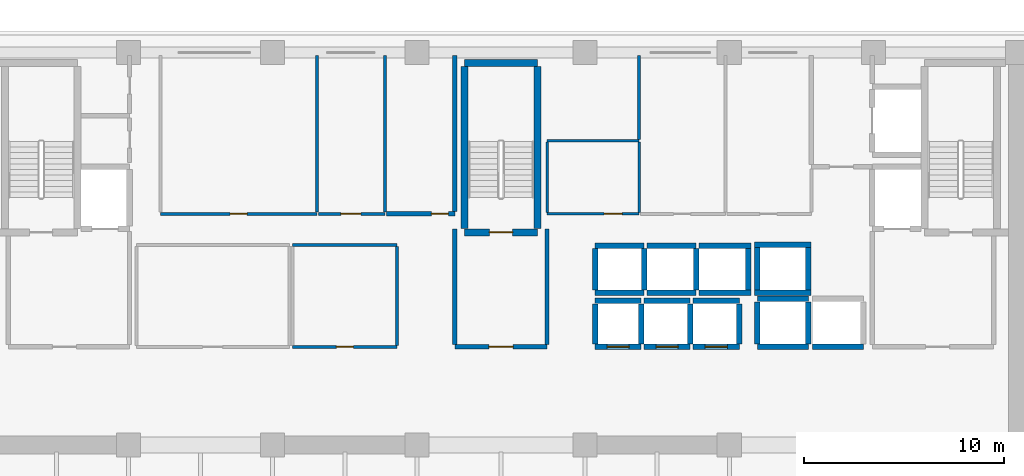
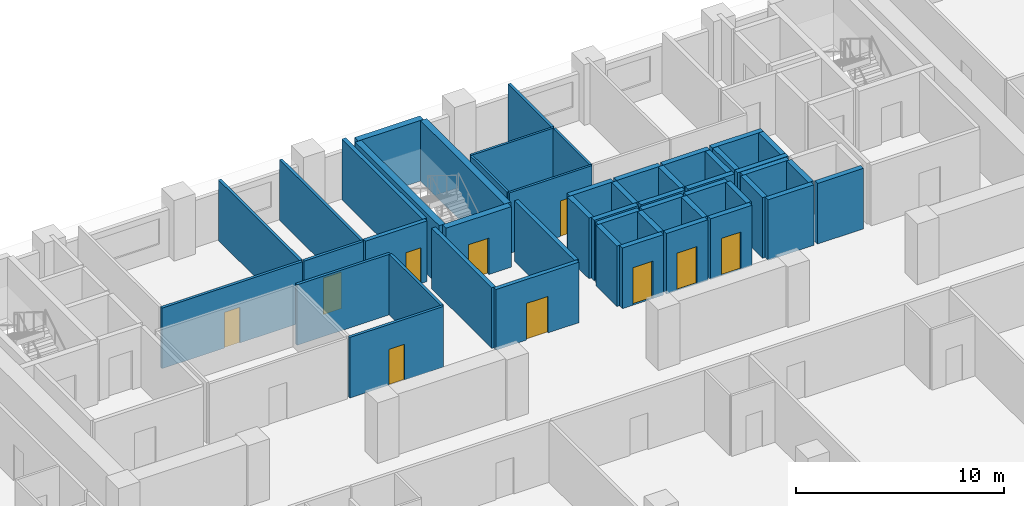
# One storey, part 6 of 14: 50 walls, 10 doors, 10 openings.
"""IFC4 building model written with IfcOpenShell, lengths in metres."""

from ifc_helpers import new_model, si_unit, direction, frame, frame_2d, origin, place, context, subcontext, project, spatial, rectangle, extrude, material, layer, layer_set, type_object, element, fill, save


model = new_model("IFC4")

# Units and contexts
model_context = context("Model", 3, precision=1e-05, world=origin(), true_north=direction((0.0, 1.0)))
body_context = subcontext(model_context, "Body", "Model", "MODEL_VIEW")
ifc_project = project(units=[si_unit("LENGTHUNIT", "METRE"), si_unit("AREAUNIT", "SQUARE_METRE"), si_unit("VOLUMEUNIT", "CUBIC_METRE"), si_unit("PLANEANGLEUNIT", "RADIAN"), si_unit("MASSUNIT", "GRAM", prefix="KILO")], contexts=[model_context])

# Site, building, storey
site_placement = place(None, origin())
site = spatial("IfcSite", under=ifc_project, at=site_placement, CompositionType="ELEMENT")
building_placement = place(site_placement, origin())
building = spatial("IfcBuilding", under=site, at=building_placement, Name="Kaelvorn Grand Hotel", CompositionType="ELEMENT")
storey_placement = place(building_placement, frame((0.0, 0.0, 209.14990234375)))
storey = spatial("IfcBuildingStorey", under=building, at=storey_placement, Name="L51", CompositionType="ELEMENT", Elevation=209.14990234375)

# Wall, opening, door
ifc_material_1 = material(Name="Moisture-Resistant Tile & Stud Board")
ifc_layer_1 = layer(ifc_material_1, 0.125)
ifc_layer_set_1 = layer_set([ifc_layer_1], Name="Moisture-Resistant Tile & Stud Board")
wall_type_1 = type_object("IfcWallType", Name="WL-PART-125-WET", PredefinedType="PARTITIONING", material=ifc_layer_set_1)
wall_1_placement = place(storey_placement, frame((44.300048828125, 40.949951171875, 0.0), z_axis=(0.0, 0.0, 1.0), x_axis=(1.0, 0.0, 0.0)))
wall_1 = element("IfcWall", 1, at=wall_1_placement, inside=storey, type_object=wall_type_1, Name="L51 Accessible WC S Partition", PredefinedType="PARTITIONING", context=body_context, shape_type="SweptSolid", body=[
    extrude(rectangle(XDim=4.599853515625, YDim=0.125, at=frame_2d((2.2998046875, 0.0))), origin(), (0.0, 0.0, 1.0), 3.56005859375),
])
opening_1_placement = place(wall_1_placement, frame((2.85009765625, 0.0, 0.0)))
opening_1 = element("IfcOpeningElement", 2, at=opening_1_placement, cuts=wall_1, Name="Opening DI4", PredefinedType="OPENING", context=body_context, shape_type="SweptSolid", body=[
    extrude(rectangle(XDim=0.89990234375, YDim=2.10009765625, at=frame_2d((0.449951171875, 1.050048828125))), frame((0.0, 0.072509765625, 0.0), z_axis=(0.0, -1.0, 0.0), x_axis=(1.0, 0.0, 0.0)), (0.0, 0.0, 1.0), 0.14501953125),
])
ifc_material_2 = material(Name="Timber Veneer Leaf", Category="wood")
door_type_1 = type_object("IfcDoorType", Name="DR-INT-BATH-900x2100", OperationType="NOTDEFINED", PredefinedType="DOOR", material=ifc_material_2)
door_1_placement = place(opening_1_placement, origin())
door_1 = element("IfcDoor", 3, at=door_1_placement, inside=storey, type_object=door_type_1, Name="L51 Accessible WC Door", OperationType="SINGLE_SWING_LEFT", OverallHeight=2.10009765625, OverallWidth=0.89990234375, PredefinedType="DOOR", context=body_context, shape_type="SweptSolid", body=[
    extrude(rectangle(XDim=0.89990234375, YDim=2.10009765625, at=frame_2d((0.449951171875, 1.050048828125))), frame((0.0, 0.02490234375, 0.0), z_axis=(0.0, -1.0, 0.0), x_axis=(1.0, 0.0, 0.0)), (0.0, 0.0, 1.0), 0.050048828125),
])
fill(opening_1, door_1)

# Walls
wall_2_placement = place(storey_placement, frame((44.300048828125, 44.60009765625, 0.0), z_axis=(0.0, 0.0, 1.0), x_axis=(1.0, 0.0, 0.0)))
element("IfcWall", 4, at=wall_2_placement, inside=storey, type_object=wall_type_1, Name="L51 Accessible WC N Partition", PredefinedType="PARTITIONING", context=body_context, shape_type="SweptSolid", body=[
    extrude(rectangle(XDim=4.599853515625, YDim=0.125, at=frame_2d((2.2998046875, 0.0))), origin(), (0.0, 0.0, 1.0), 3.56005859375),
])
for number, where, z_axis, x_axis, name in (
    (5, (44.300048828125, 41.017578125, 0.0), (0.0, 0.0, 1.0), (0.0, 1.0, 0.0), "L51 Accessible WC W Partition"),
    (6, (48.89990234375, 41.017578125, 0.0), (0.0, 0.0, 1.0), (0.0, 1.0, 0.0), "L51 Accessible WC E Partition"),
):
    element("IfcWall", number, at=place(storey_placement, frame(where, z_axis=z_axis, x_axis=x_axis)), inside=storey, type_object=wall_type_1, Name=name, PredefinedType="PARTITIONING", context=body_context, shape_type="SweptSolid", body=[
        extrude(rectangle(XDim=3.514892578125, YDim=0.125, at=frame_2d((1.75732421875, 0.0))), origin(), (0.0, 0.0, 1.0), 3.56005859375),
    ])

# Wall, opening, door
ifc_material_3 = material(Name="Acoustic Gypsum & Stud Partition")
ifc_layer_2 = layer(ifc_material_3, 0.14990234375)
ifc_layer_set_2 = layer_set([ifc_layer_2], Name="Acoustic Gypsum & Stud Partition")
wall_type_2 = type_object("IfcWallType", Name="WL-PART-150-EI60", PredefinedType="PARTITIONING", material=ifc_layer_set_2)
wall_3_placement = place(storey_placement, frame((31.60009765625, 34.300048828125, 0.0), z_axis=(0.0, 0.0, 1.0), x_axis=(1.0, 0.0, 0.0)))
wall_3 = element("IfcWall", 7, at=wall_3_placement, inside=storey, type_object=wall_type_2, Name="L51 Core Telecoms & BMS Server Room S Partition", PredefinedType="PARTITIONING", context=body_context, shape_type="SweptSolid", body=[
    extrude(rectangle(XDim=5.199951171875, YDim=0.14990234375, at=frame_2d((2.60009765625, 0.0))), origin(), (0.0, 0.0, 1.0), 3.56005859375),
])
opening_2_placement = place(wall_3_placement, frame((2.175048828125, 0.0, 0.0)))
opening_2 = element("IfcOpeningElement", 8, at=opening_2_placement, cuts=wall_3, Name="Opening DI7", PredefinedType="OPENING", context=body_context, shape_type="SweptSolid", body=[
    extrude(rectangle(XDim=0.85009765625, YDim=2.10009765625, at=frame_2d((0.425048828125, 1.050048828125))), frame((0.0, 0.0849609375, 0.0), z_axis=(0.0, -1.0, 0.0), x_axis=(1.0, 0.0, 0.0)), (0.0, 0.0, 1.0), 0.169921875),
])
ifc_material_4 = material(Name="Powder-Coated Steel Leaf", Category="steel")
door_type_2 = type_object("IfcDoorType", Name="DR-INT-RISER-850x2100", OperationType="NOTDEFINED", PredefinedType="DOOR", material=ifc_material_4)
door_2_placement = place(opening_2_placement, origin())
door_2 = element("IfcDoor", 9, at=door_2_placement, inside=storey, type_object=door_type_2, Name="L51 Core Telecoms & BMS Server Room Door", OperationType="SINGLE_SWING_RIGHT", OverallHeight=2.10009765625, OverallWidth=0.85009765625, PredefinedType="DOOR", context=body_context, shape_type="SweptSolid", body=[
    extrude(rectangle(XDim=0.85009765625, YDim=2.10009765625, at=frame_2d((0.425048828125, 1.050048828125))), frame((0.0, 0.02490234375, 0.0), z_axis=(0.0, -1.0, 0.0), x_axis=(1.0, 0.0, 0.0)), (0.0, 0.0, 1.0), 0.050048828125),
])
fill(opening_2, door_2)

# Walls
wall_4_placement = place(storey_placement, frame((31.60009765625, 39.39990234375, 0.0), z_axis=(0.0, 0.0, 1.0), x_axis=(1.0, 0.0, 0.0)))
element("IfcWall", 10, at=wall_4_placement, inside=storey, type_object=wall_type_2, Name="L51 Core Telecoms & BMS Server Room N Partition", PredefinedType="PARTITIONING", context=body_context, shape_type="SweptSolid", body=[
    extrude(rectangle(XDim=5.199951171875, YDim=0.14990234375, at=frame_2d((2.60009765625, 0.0))), origin(), (0.0, 0.0, 1.0), 3.56005859375),
])
wall_5_placement = place(storey_placement, frame((36.800048828125, 34.3798828125, 0.0), z_axis=(0.0, 0.0, 1.0), x_axis=(0.0, 1.0, 0.0)))
element("IfcWall", 11, at=wall_5_placement, inside=storey, type_object=wall_type_2, Name="L51 Core Telecoms & BMS Server Room E Partition", PredefinedType="PARTITIONING", context=body_context, shape_type="SweptSolid", body=[
    extrude(rectangle(XDim=4.940185546875, YDim=0.14990234375, at=frame_2d((2.47021484375, 0.0))), origin(), (0.0, 0.0, 1.0), 3.56005859375),
])

# Wall, opening, door
wall_6_placement = place(storey_placement, frame((25.0, 40.949951171875, 0.0), z_axis=(0.0, 0.0, 1.0), x_axis=(1.0, 0.0, 0.0)))
wall_6 = element("IfcWall", 12, at=wall_6_placement, inside=storey, type_object=wall_type_2, Name="L51 Housekeeping & Linen Room S Partition", PredefinedType="PARTITIONING", context=body_context, shape_type="SweptSolid", body=[
    extrude(rectangle(XDim=7.800048828125, YDim=0.14990234375, at=frame_2d((3.89990234375, 0.0))), origin(), (0.0, 0.0, 1.0), 3.56005859375),
])
opening_3_placement = place(wall_6_placement, frame((3.47509765625, 0.0, 0.0)))
opening_3 = element("IfcOpeningElement", 13, at=opening_3_placement, cuts=wall_6, Name="Opening DI7", PredefinedType="OPENING", context=body_context, shape_type="SweptSolid", body=[
    extrude(rectangle(XDim=0.85009765625, YDim=2.10009765625, at=frame_2d((0.425048828125, 1.050048828125))), frame((0.0, 0.0849609375, 0.0), z_axis=(0.0, -1.0, 0.0), x_axis=(1.0, 0.0, 0.0)), (0.0, 0.0, 1.0), 0.169921875),
])
door_3_placement = place(opening_3_placement, origin())
door_3 = element("IfcDoor", 14, at=door_3_placement, inside=storey, type_object=door_type_2, Name="L51 Housekeeping & Linen Room Door", OperationType="SINGLE_SWING_RIGHT", OverallHeight=2.10009765625, OverallWidth=0.85009765625, PredefinedType="DOOR", context=body_context, shape_type="SweptSolid", body=[
    extrude(rectangle(XDim=0.85009765625, YDim=2.10009765625, at=frame_2d((0.425048828125, 1.050048828125))), frame((0.0, 0.02490234375, 0.0), z_axis=(0.0, -1.0, 0.0), x_axis=(1.0, 0.0, 0.0)), (0.0, 0.0, 1.0), 0.050048828125),
])
fill(opening_3, door_3)

# Wall
wall_7_placement = place(storey_placement, frame((32.800048828125, 41.030029296875, 0.0), z_axis=(0.0, 0.0, 1.0), x_axis=(0.0, 1.0, 0.0)))
element("IfcWall", 15, at=wall_7_placement, inside=storey, type_object=wall_type_2, Name="L51 Housekeeping & Linen Room E Partition", PredefinedType="PARTITIONING", context=body_context, shape_type="SweptSolid", body=[
    extrude(rectangle(XDim=7.820068359375, YDim=0.14990234375, at=frame_2d((3.91015625, 0.0))), origin(), (0.0, 0.0, 1.0), 3.56005859375),
])

# Wall, opening, door
wall_8_placement = place(storey_placement, frame((32.8798828125, 40.949951171875, 0.0), z_axis=(0.0, 0.0, 1.0), x_axis=(1.0, 0.0, 0.0)))
wall_8 = element("IfcWall", 16, at=wall_8_placement, inside=storey, type_object=wall_type_2, Name="L51 Floor Butler Tea Point S Partition", PredefinedType="PARTITIONING", context=body_context, shape_type="SweptSolid", body=[
    extrude(rectangle(XDim=3.320068359375, YDim=0.14990234375, at=frame_2d((1.66015625, 0.0))), origin(), (0.0, 0.0, 1.0), 3.56005859375),
])
opening_4_placement = place(wall_8_placement, frame((1.1201171875, 0.0, 0.0)))
opening_4 = element("IfcOpeningElement", 17, at=opening_4_placement, cuts=wall_8, Name="Opening DI3", PredefinedType="OPENING", context=body_context, shape_type="SweptSolid", body=[
    extrude(rectangle(XDim=1.0, YDim=2.14990234375, at=frame_2d((0.5, 1.074951171875))), frame((0.0, 0.0849609375, 0.0), z_axis=(0.0, -1.0, 0.0), x_axis=(1.0, 0.0, 0.0)), (0.0, 0.0, 1.0), 0.169921875),
])
ifc_material_5 = material(Name="Timber Veneer Fire Leaf", Category="wood")
door_type_3 = type_object("IfcDoorType", Name="DR-INT-GUEST-1000x2150", OperationType="NOTDEFINED", PredefinedType="DOOR", material=ifc_material_5)
door_4_placement = place(opening_4_placement, origin())
door_4 = element("IfcDoor", 18, at=door_4_placement, inside=storey, type_object=door_type_3, Name="L51 Floor Butler Tea Point Door", OperationType="SINGLE_SWING_LEFT", OverallHeight=2.14990234375, OverallWidth=1.0, PredefinedType="DOOR", context=body_context, shape_type="SweptSolid", body=[
    extrude(rectangle(XDim=1.0, YDim=2.14990234375, at=frame_2d((0.5, 1.074951171875))), frame((0.0, 0.02490234375, 0.0), z_axis=(0.0, -1.0, 0.0), x_axis=(1.0, 0.0, 0.0)), (0.0, 0.0, 1.0), 0.050048828125),
])
fill(opening_4, door_4)

# Walls
wall_9_placement = place(storey_placement, frame((36.199951171875, 41.030029296875, 0.0), z_axis=(0.0, 0.0, 1.0), x_axis=(0.0, 1.0, 0.0)))
element("IfcWall", 19, at=wall_9_placement, inside=storey, type_object=wall_type_2, Name="L51 Floor Butler Tea Point E Partition", PredefinedType="PARTITIONING", context=body_context, shape_type="SweptSolid", body=[
    extrude(rectangle(XDim=7.820068359375, YDim=0.14990234375, at=frame_2d((3.91015625, 0.0))), origin(), (0.0, 0.0, 1.0), 3.56005859375),
])
wall_10_placement = place(storey_placement, frame((48.89990234375, 44.66748046875, 0.0), z_axis=(0.0, 0.0, 1.0), x_axis=(0.0, 1.0, 0.0)))
element("IfcWall", 20, at=wall_10_placement, inside=storey, type_object=wall_type_2, Name="L51 Minibar & Glassware Store W Partition", PredefinedType="PARTITIONING", context=body_context, shape_type="SweptSolid", body=[
    extrude(rectangle(XDim=4.1826171875, YDim=0.14990234375, at=frame_2d((2.09130859375, 0.0))), origin(), (0.0, 0.0, 1.0), 3.56005859375),
])

# Wall, opening, door
ifc_material_6 = material(Name="Concrete C40/50", Category="concrete")
ifc_layer_3 = layer(ifc_material_6, 0.219970703125)
ifc_layer_set_3 = layer_set([ifc_layer_3], Name="Concrete C40/50")
wall_type_3 = type_object("IfcWallType", Name="WL-PART-220-EI120", PredefinedType="PARTITIONING", material=ifc_layer_set_3)
wall_11_placement = place(storey_placement, frame((39.699951171875, 34.300048828125, 0.0), z_axis=(0.0, 0.0, 1.0), x_axis=(1.0, 0.0, 0.0)))
wall_11 = element("IfcWall", 21, at=wall_11_placement, inside=storey, type_object=wall_type_3, Name="L51 Central Stair Escape Vestibule S Partition", PredefinedType="PARTITIONING", context=body_context, shape_type="SweptSolid", body=[
    extrude(rectangle(XDim=4.60009765625, YDim=0.219970703125, at=frame_2d((2.300048828125, 0.0))), origin(), (0.0, 0.0, 1.0), 3.56005859375),
])
opening_5_placement = place(wall_11_placement, frame((1.699951171875, 0.0, 0.0)))
opening_5 = element("IfcOpeningElement", 22, at=opening_5_placement, cuts=wall_11, Name="Opening DI2", PredefinedType="OPENING", context=body_context, shape_type="SweptSolid", body=[
    extrude(rectangle(XDim=1.199951171875, YDim=2.14990234375, at=frame_2d((0.60009765625, 1.074951171875))), frame((0.0, 0.1201171875, 0.0), z_axis=(0.0, -1.0, 0.0), x_axis=(1.0, 0.0, 0.0)), (0.0, 0.0, 1.0), 0.239990234375),
])
door_type_4 = type_object("IfcDoorType", Name="DR-INT-FFLOB-1200x2150", OperationType="NOTDEFINED", PredefinedType="DOOR", material=ifc_material_5)
door_5_placement = place(opening_5_placement, origin())
door_5 = element("IfcDoor", 23, at=door_5_placement, inside=storey, type_object=door_type_4, Name="L51 Central Stair Escape Vestibule Door", OperationType="SINGLE_SWING_RIGHT", OverallHeight=2.14990234375, OverallWidth=1.199951171875, PredefinedType="DOOR", context=body_context, shape_type="SweptSolid", body=[
    extrude(rectangle(XDim=1.199951171875, YDim=2.14990234375, at=frame_2d((0.60009765625, 1.074951171875))), frame((0.0, 0.02490234375, 0.0), z_axis=(0.0, -1.0, 0.0), x_axis=(1.0, 0.0, 0.0)), (0.0, 0.0, 1.0), 0.050048828125),
])
fill(opening_5, door_5)

# Walls
for number, where, z_axis, x_axis, name in (
    (24, (39.699951171875, 34.4150390625, 0.0), (0.0, 0.0, 1.0), (0.0, 1.0, 0.0), "L51 Central Stair Escape Vestibule W Partition"),
    (25, (44.300048828125, 34.4150390625, 0.0), (0.0, 0.0, 1.0), (0.0, 1.0, 0.0), "L51 Central Stair Escape Vestibule E Partition"),
):
    element("IfcWall", number, at=place(storey_placement, frame(where, z_axis=z_axis, x_axis=x_axis)), inside=storey, type_object=wall_type_3, Name=name, PredefinedType="PARTITIONING", context=body_context, shape_type="SweptSolid", body=[
        extrude(rectangle(XDim=5.784912109375, YDim=0.219970703125, at=frame_2d((2.892578125, 0.0))), origin(), (0.0, 0.0, 1.0), 3.56005859375),
    ])

# Wall, opening, door
wall_12_placement = place(storey_placement, frame((36.280029296875, 40.949951171875, 0.0), z_axis=(0.0, 0.0, 1.0), x_axis=(1.0, 0.0, 0.0)))
wall_12 = element("IfcWall", 26, at=wall_12_placement, inside=storey, type_object=wall_type_3, Name="L51 LV Electrical & Metering Room S Partition", PredefinedType="PARTITIONING", context=body_context, shape_type="SweptSolid", body=[
    extrude(rectangle(XDim=3.419921875, YDim=0.219970703125, at=frame_2d((1.7099609375, 0.0))), origin(), (0.0, 0.0, 1.0), 3.56005859375),
])
opening_6_placement = place(wall_12_placement, frame((2.2451171875, 0.0, 0.0)))
opening_6 = element("IfcOpeningElement", 27, at=opening_6_placement, cuts=wall_12, Name="Opening DI7", PredefinedType="OPENING", context=body_context, shape_type="SweptSolid", body=[
    extrude(rectangle(XDim=0.85009765625, YDim=2.10009765625, at=frame_2d((0.425048828125, 1.050048828125))), frame((0.0, 0.1201171875, 0.0), z_axis=(0.0, -1.0, 0.0), x_axis=(1.0, 0.0, 0.0)), (0.0, 0.0, 1.0), 0.239990234375),
])
door_6_placement = place(opening_6_placement, origin())
door_6 = element("IfcDoor", 28, at=door_6_placement, inside=storey, type_object=door_type_2, Name="L51 LV Electrical & Metering Room Door", OperationType="SINGLE_SWING_RIGHT", OverallHeight=2.10009765625, OverallWidth=0.85009765625, PredefinedType="DOOR", context=body_context, shape_type="SweptSolid", body=[
    extrude(rectangle(XDim=0.85009765625, YDim=2.10009765625, at=frame_2d((0.425048828125, 1.050048828125))), frame((0.0, 0.02490234375, 0.0), z_axis=(0.0, -1.0, 0.0), x_axis=(1.0, 0.0, 0.0)), (0.0, 0.0, 1.0), 0.050048828125),
])
fill(opening_6, door_6)

# Wall
wall_13_placement = place(storey_placement, frame((39.699951171875, 41.06494140625, 0.0), z_axis=(0.0, 0.0, 1.0), x_axis=(0.0, 1.0, 0.0)))
element("IfcWall", 29, at=wall_13_placement, inside=storey, type_object=wall_type_3, Name="L51 LV Electrical & Metering Room E Partition", PredefinedType="PARTITIONING", context=body_context, shape_type="SweptSolid", body=[
    extrude(rectangle(XDim=7.78515625, YDim=0.219970703125, at=frame_2d((3.892578125, 0.0))), origin(), (0.0, 0.0, 1.0), 3.56005859375),
])

# Wall, opening, door
ifc_material_7 = material(Name="Concrete C50/60", Category="concrete")
ifc_layer_4 = layer(ifc_material_7, 0.280029296875)
ifc_layer_set_4 = layer_set([ifc_layer_4], Name="Concrete C50/60")
wall_type_4 = type_object("IfcWallType", Name="WL-SHAFT-280-C50", PredefinedType="SHEAR", material=ifc_layer_set_4)
wall_14_placement = place(storey_placement, frame((46.699951171875, 34.300048828125, 0.0), z_axis=(0.0, 0.0, 1.0), x_axis=(1.0, 0.0, 0.0)))
wall_14 = element("IfcWall", 30, at=wall_14_placement, inside=storey, type_object=wall_type_4, Name="L51 Lift PL-M1 Shaft South Wall", PredefinedType="SHEAR", context=body_context, shape_type="SweptSolid", body=[
    extrude(rectangle(XDim=2.300048828125, YDim=0.280029296875, at=frame_2d((1.14990234375, 0.0))), origin(), (0.0, 0.0, 1.0), 3.56005859375),
])
opening_7_placement = place(wall_14_placement, frame((0.60009765625, 0.0, 0.0)))
opening_7 = element("IfcOpeningElement", 31, at=opening_7_placement, cuts=wall_14, Name="Opening LD-PL-M1", PredefinedType="OPENING", context=body_context, shape_type="SweptSolid", body=[
    extrude(rectangle(XDim=1.10009765625, YDim=2.199951171875, at=frame_2d((0.550048828125, 1.10009765625))), frame((0.0, 0.14990234375, 0.0), z_axis=(0.0, -1.0, 0.0), x_axis=(1.0, 0.0, 0.0)), (0.0, 0.0, 1.0), 0.300048828125),
])
ifc_material_8 = material(Name="Stainless Steel", Category="steel")
door_type_5 = type_object("IfcDoorType", Name="DR-LIFT-PASS-1100x2200", OperationType="DOUBLE_DOOR_SLIDING", PredefinedType="DOOR", material=ifc_material_8)
door_7_placement = place(opening_7_placement, origin())
door_7 = element("IfcDoor", 32, at=door_7_placement, inside=storey, type_object=door_type_5, Name="L51 Lift PL-M1 Sliding Landing Door LD-PL-M1", OperationType="DOUBLE_DOOR_SLIDING", OverallHeight=2.199951171875, OverallWidth=1.10009765625, PredefinedType="DOOR", context=body_context, shape_type="SweptSolid", body=[
    extrude(rectangle(XDim=1.10009765625, YDim=2.199951171875, at=frame_2d((0.550048828125, 1.10009765625))), frame((0.0, 0.02490234375, 0.0), z_axis=(0.0, -1.0, 0.0), x_axis=(1.0, 0.0, 0.0)), (0.0, 0.0, 1.0), 0.050048828125),
])
fill(opening_7, door_7)

# Walls
wall_15_placement = place(storey_placement, frame((46.699951171875, 36.60009765625, 0.0), z_axis=(0.0, 0.0, 1.0), x_axis=(1.0, 0.0, 0.0)))
element("IfcWall", 33, at=wall_15_placement, inside=storey, type_object=wall_type_4, Name="L51 Lift PL-M1 Shaft North Wall", PredefinedType="SHEAR", context=body_context, shape_type="SweptSolid", body=[
    extrude(rectangle(XDim=2.300048828125, YDim=0.280029296875, at=frame_2d((1.14990234375, 0.0))), origin(), (0.0, 0.0, 1.0), 3.56005859375),
])
for number, where, z_axis, x_axis, name in (
    (34, (46.699951171875, 34.445068359375, 0.0), (0.0, 0.0, 1.0), (0.0, 1.0, 0.0), "L51 Lift PL-M1 Shaft West Wall"),
    (35, (49.0, 34.445068359375, 0.0), (0.0, 0.0, 1.0), (0.0, 1.0, 0.0), "L51 Lift PL-M1 Shaft East Wall"),
):
    element("IfcWall", number, at=place(storey_placement, frame(where, z_axis=z_axis, x_axis=x_axis)), inside=storey, type_object=wall_type_4, Name=name, PredefinedType="SHEAR", context=body_context, shape_type="SweptSolid", body=[
        extrude(rectangle(XDim=2.010009765625, YDim=0.280029296875, at=frame_2d((1.0048828125, 0.0))), origin(), (0.0, 0.0, 1.0), 3.56005859375),
    ])

# Wall, opening, door
wall_16_placement = place(storey_placement, frame((49.14990234375, 34.300048828125, 0.0), z_axis=(0.0, 0.0, 1.0), x_axis=(1.0, 0.0, 0.0)))
wall_16 = element("IfcWall", 36, at=wall_16_placement, inside=storey, type_object=wall_type_4, Name="L51 Lift PL-M2 Shaft South Wall", PredefinedType="SHEAR", context=body_context, shape_type="SweptSolid", body=[
    extrude(rectangle(XDim=2.300048828125, YDim=0.280029296875, at=frame_2d((1.14990234375, 0.0))), origin(), (0.0, 0.0, 1.0), 3.56005859375),
])
opening_8_placement = place(wall_16_placement, frame((0.60009765625, 0.0, 0.0)))
opening_8 = element("IfcOpeningElement", 37, at=opening_8_placement, cuts=wall_16, Name="Opening LD-PL-M2", PredefinedType="OPENING", context=body_context, shape_type="SweptSolid", body=[
    extrude(rectangle(XDim=1.10009765625, YDim=2.199951171875, at=frame_2d((0.550048828125, 1.10009765625))), frame((0.0, 0.14990234375, 0.0), z_axis=(0.0, -1.0, 0.0), x_axis=(1.0, 0.0, 0.0)), (0.0, 0.0, 1.0), 0.300048828125),
])
door_8_placement = place(opening_8_placement, origin())
door_8 = element("IfcDoor", 38, at=door_8_placement, inside=storey, type_object=door_type_5, Name="L51 Lift PL-M2 Sliding Landing Door LD-PL-M2", OperationType="DOUBLE_DOOR_SLIDING", OverallHeight=2.199951171875, OverallWidth=1.10009765625, PredefinedType="DOOR", context=body_context, shape_type="SweptSolid", body=[
    extrude(rectangle(XDim=1.10009765625, YDim=2.199951171875, at=frame_2d((0.550048828125, 1.10009765625))), frame((0.0, 0.02490234375, 0.0), z_axis=(0.0, -1.0, 0.0), x_axis=(1.0, 0.0, 0.0)), (0.0, 0.0, 1.0), 0.050048828125),
])
fill(opening_8, door_8)

# Walls
wall_17_placement = place(storey_placement, frame((49.14990234375, 36.60009765625, 0.0), z_axis=(0.0, 0.0, 1.0), x_axis=(1.0, 0.0, 0.0)))
element("IfcWall", 39, at=wall_17_placement, inside=storey, type_object=wall_type_4, Name="L51 Lift PL-M2 Shaft North Wall", PredefinedType="SHEAR", context=body_context, shape_type="SweptSolid", body=[
    extrude(rectangle(XDim=2.300048828125, YDim=0.280029296875, at=frame_2d((1.14990234375, 0.0))), origin(), (0.0, 0.0, 1.0), 3.56005859375),
])
wall_18_placement = place(storey_placement, frame((51.449951171875, 34.445068359375, 0.0), z_axis=(0.0, 0.0, 1.0), x_axis=(0.0, 1.0, 0.0)))
element("IfcWall", 40, at=wall_18_placement, inside=storey, type_object=wall_type_4, Name="L51 Lift PL-M2 Shaft East Wall", PredefinedType="SHEAR", context=body_context, shape_type="SweptSolid", body=[
    extrude(rectangle(XDim=2.010009765625, YDim=0.280029296875, at=frame_2d((1.0048828125, 0.0))), origin(), (0.0, 0.0, 1.0), 3.56005859375),
])

# Wall, opening, door
wall_19_placement = place(storey_placement, frame((51.60009765625, 34.300048828125, 0.0), z_axis=(0.0, 0.0, 1.0), x_axis=(1.0, 0.0, 0.0)))
wall_19 = element("IfcWall", 41, at=wall_19_placement, inside=storey, type_object=wall_type_4, Name="L51 Lift PL-M3 Shaft South Wall", PredefinedType="SHEAR", context=body_context, shape_type="SweptSolid", body=[
    extrude(rectangle(XDim=2.2998046875, YDim=0.280029296875, at=frame_2d((1.14990234375, 0.0))), origin(), (0.0, 0.0, 1.0), 3.56005859375),
])
opening_9_placement = place(wall_19_placement, frame((0.60009765625, 0.0, 0.0)))
opening_9 = element("IfcOpeningElement", 42, at=opening_9_placement, cuts=wall_19, Name="Opening LD-PL-M3", PredefinedType="OPENING", context=body_context, shape_type="SweptSolid", body=[
    extrude(rectangle(XDim=1.10009765625, YDim=2.199951171875, at=frame_2d((0.550048828125, 1.10009765625))), frame((0.0, 0.14990234375, 0.0), z_axis=(0.0, -1.0, 0.0), x_axis=(1.0, 0.0, 0.0)), (0.0, 0.0, 1.0), 0.300048828125),
])
door_9_placement = place(opening_9_placement, origin())
door_9 = element("IfcDoor", 43, at=door_9_placement, inside=storey, type_object=door_type_5, Name="L51 Lift PL-M3 Sliding Landing Door LD-PL-M3", OperationType="DOUBLE_DOOR_SLIDING", OverallHeight=2.199951171875, OverallWidth=1.10009765625, PredefinedType="DOOR", context=body_context, shape_type="SweptSolid", body=[
    extrude(rectangle(XDim=1.10009765625, YDim=2.199951171875, at=frame_2d((0.550048828125, 1.10009765625))), frame((0.0, 0.02490234375, 0.0), z_axis=(0.0, -1.0, 0.0), x_axis=(1.0, 0.0, 0.0)), (0.0, 0.0, 1.0), 0.050048828125),
])
fill(opening_9, door_9)

# Walls
wall_20_placement = place(storey_placement, frame((51.60009765625, 36.60009765625, 0.0), z_axis=(0.0, 0.0, 1.0), x_axis=(1.0, 0.0, 0.0)))
element("IfcWall", 44, at=wall_20_placement, inside=storey, type_object=wall_type_4, Name="L51 Lift PL-M3 Shaft North Wall", PredefinedType="SHEAR", context=body_context, shape_type="SweptSolid", body=[
    extrude(rectangle(XDim=2.2998046875, YDim=0.280029296875, at=frame_2d((1.14990234375, 0.0))), origin(), (0.0, 0.0, 1.0), 3.56005859375),
])
wall_21_placement = place(storey_placement, frame((53.89990234375, 34.445068359375, 0.0), z_axis=(0.0, 0.0, 1.0), x_axis=(0.0, 1.0, 0.0)))
element("IfcWall", 45, at=wall_21_placement, inside=storey, type_object=wall_type_4, Name="L51 Lift PL-M3 Shaft East Wall", PredefinedType="SHEAR", context=body_context, shape_type="SweptSolid", body=[
    extrude(rectangle(XDim=2.010009765625, YDim=0.280029296875, at=frame_2d((1.0048828125, 0.0))), origin(), (0.0, 0.0, 1.0), 3.56005859375),
])
for number, where, z_axis, x_axis, name in (
    (46, (46.699951171875, 37.0, 0.0), (0.0, 0.0, 1.0), (1.0, 0.0, 0.0), "L51 Lift SL-1 Shaft South Wall"),
    (47, (46.699951171875, 39.35009765625, 0.0), (0.0, 0.0, 1.0), (1.0, 0.0, 0.0), "L51 Lift SL-1 Shaft North Wall"),
):
    element("IfcWall", number, at=place(storey_placement, frame(where, z_axis=z_axis, x_axis=x_axis)), inside=storey, type_object=wall_type_4, Name=name, PredefinedType="SHEAR", context=body_context, shape_type="SweptSolid", body=[
        extrude(rectangle(XDim=2.449951171875, YDim=0.280029296875, at=frame_2d((1.22509765625, 0.0))), origin(), (0.0, 0.0, 1.0), 3.56005859375),
    ])
for number, where, z_axis, x_axis, name in (
    (48, (46.699951171875, 37.14501953125, 0.0), (0.0, 0.0, 1.0), (0.0, 1.0, 0.0), "L51 Lift SL-1 Shaft West Wall"),
    (49, (49.14990234375, 37.14501953125, 0.0), (0.0, 0.0, 1.0), (0.0, 1.0, 0.0), "L51 Lift SL-1 Shaft East Wall"),
):
    element("IfcWall", number, at=place(storey_placement, frame(where, z_axis=z_axis, x_axis=x_axis)), inside=storey, type_object=wall_type_4, Name=name, PredefinedType="SHEAR", context=body_context, shape_type="SweptSolid", body=[
        extrude(rectangle(XDim=2.06005859375, YDim=0.280029296875, at=frame_2d((1.030029296875, 0.0))), origin(), (0.0, 0.0, 1.0), 3.56005859375),
    ])
for number, where, z_axis, x_axis, name in (
    (50, (49.300048828125, 37.0, 0.0), (0.0, 0.0, 1.0), (1.0, 0.0, 0.0), "L51 Lift SL-2 Shaft South Wall"),
    (51, (49.300048828125, 39.35009765625, 0.0), (0.0, 0.0, 1.0), (1.0, 0.0, 0.0), "L51 Lift SL-2 Shaft North Wall"),
):
    element("IfcWall", number, at=place(storey_placement, frame(where, z_axis=z_axis, x_axis=x_axis)), inside=storey, type_object=wall_type_4, Name=name, PredefinedType="SHEAR", context=body_context, shape_type="SweptSolid", body=[
        extrude(rectangle(XDim=2.449951171875, YDim=0.280029296875, at=frame_2d((1.22509765625, 0.0))), origin(), (0.0, 0.0, 1.0), 3.56005859375),
    ])
wall_22_placement = place(storey_placement, frame((51.75, 37.14501953125, 0.0), z_axis=(0.0, 0.0, 1.0), x_axis=(0.0, 1.0, 0.0)))
element("IfcWall", 52, at=wall_22_placement, inside=storey, type_object=wall_type_4, Name="L51 Lift SL-2 Shaft East Wall", PredefinedType="SHEAR", context=body_context, shape_type="SweptSolid", body=[
    extrude(rectangle(XDim=2.06005859375, YDim=0.280029296875, at=frame_2d((1.030029296875, 0.0))), origin(), (0.0, 0.0, 1.0), 3.56005859375),
])
for number, where, z_axis, x_axis, name in (
    (53, (51.89990234375, 37.0, 0.0), (0.0, 0.0, 1.0), (1.0, 0.0, 0.0), "L51 Lift SL-3 Shaft South Wall"),
    (54, (51.89990234375, 39.35009765625, 0.0), (0.0, 0.0, 1.0), (1.0, 0.0, 0.0), "L51 Lift SL-3 Shaft North Wall"),
):
    element("IfcWall", number, at=place(storey_placement, frame(where, z_axis=z_axis, x_axis=x_axis)), inside=storey, type_object=wall_type_4, Name=name, PredefinedType="SHEAR", context=body_context, shape_type="SweptSolid", body=[
        extrude(rectangle(XDim=2.590087890625, YDim=0.280029296875, at=frame_2d((1.294921875, 0.0))), origin(), (0.0, 0.0, 1.0), 3.56005859375),
    ])
wall_23_placement = place(storey_placement, frame((54.35009765625, 37.14501953125, 0.0), z_axis=(0.0, 0.0, 1.0), x_axis=(0.0, 1.0, 0.0)))
element("IfcWall", 55, at=wall_23_placement, inside=storey, type_object=wall_type_4, Name="L51 Lift SL-3 Shaft East Wall", PredefinedType="SHEAR", context=body_context, shape_type="SweptSolid", body=[
    extrude(rectangle(XDim=2.06005859375, YDim=0.280029296875, at=frame_2d((1.030029296875, 0.0))), origin(), (0.0, 0.0, 1.0), 3.56005859375),
])
for number, where, z_axis, x_axis, name in (
    (56, (54.800048828125, 34.300048828125, 0.0), (0.0, 0.0, 1.0), (1.0, 0.0, 0.0), "L51 Lift OL-1 Shaft South Wall"),
    (57, (54.800048828125, 36.699951171875, 0.0), (0.0, 0.0, 1.0), (1.0, 0.0, 0.0), "L51 Lift OL-1 Shaft North Wall"),
):
    element("IfcWall", number, at=place(storey_placement, frame(where, z_axis=z_axis, x_axis=x_axis)), inside=storey, type_object=wall_type_4, Name=name, PredefinedType="SHEAR", context=body_context, shape_type="SweptSolid", body=[
        extrude(rectangle(XDim=2.550048828125, YDim=0.280029296875, at=frame_2d((1.27490234375, 0.0))), origin(), (0.0, 0.0, 1.0), 3.56005859375),
    ])
for number, where, z_axis, x_axis, name in (
    (58, (54.800048828125, 34.445068359375, 0.0), (0.0, 0.0, 1.0), (0.0, 1.0, 0.0), "L51 Lift OL-1 Shaft West Wall"),
    (59, (57.35009765625, 34.445068359375, 0.0), (0.0, 0.0, 1.0), (0.0, 1.0, 0.0), "L51 Lift OL-1 Shaft East Wall"),
):
    element("IfcWall", number, at=place(storey_placement, frame(where, z_axis=z_axis, x_axis=x_axis)), inside=storey, type_object=wall_type_4, Name=name, PredefinedType="SHEAR", context=body_context, shape_type="SweptSolid", body=[
        extrude(rectangle(XDim=2.10986328125, YDim=0.280029296875, at=frame_2d((1.054931640625, 0.0))), origin(), (0.0, 0.0, 1.0), 3.56005859375),
    ])
wall_24_placement = place(storey_placement, frame((57.550048828125, 34.300048828125, 0.0), z_axis=(0.0, 0.0, 1.0), x_axis=(1.0, 0.0, 0.0)))
element("IfcWall", 60, at=wall_24_placement, inside=storey, type_object=wall_type_4, Name="L51 Lift OL-2 Shaft South Wall", PredefinedType="SHEAR", context=body_context, shape_type="SweptSolid", body=[
    extrude(rectangle(XDim=2.550048828125, YDim=0.280029296875, at=frame_2d((1.27490234375, 0.0))), origin(), (0.0, 0.0, 1.0), 3.56005859375),
])
for number, where, z_axis, x_axis, name in (
    (61, (54.659912109375, 37.0, 0.0), (0.0, 0.0, 1.0), (1.0, 0.0, 0.0), "L51 Lift OL-3 Shaft South Wall"),
    (62, (54.659912109375, 39.39990234375, 0.0), (0.0, 0.0, 1.0), (1.0, 0.0, 0.0), "L51 Lift OL-3 Shaft North Wall"),
):
    element("IfcWall", number, at=place(storey_placement, frame(where, z_axis=z_axis, x_axis=x_axis)), inside=storey, type_object=wall_type_4, Name=name, PredefinedType="SHEAR", context=body_context, shape_type="SweptSolid", body=[
        extrude(rectangle(XDim=2.830078125, YDim=0.280029296875, at=frame_2d((1.4150390625, 0.0))), origin(), (0.0, 0.0, 1.0), 3.56005859375),
    ])
for number, where, z_axis, x_axis, name in (
    (63, (54.800048828125, 37.14501953125, 0.0), (0.0, 0.0, 1.0), (0.0, 1.0, 0.0), "L51 Lift OL-3 Shaft West Wall"),
    (64, (57.35009765625, 37.14501953125, 0.0), (0.0, 0.0, 1.0), (0.0, 1.0, 0.0), "L51 Lift OL-3 Shaft East Wall"),
):
    element("IfcWall", number, at=place(storey_placement, frame(where, z_axis=z_axis, x_axis=x_axis)), inside=storey, type_object=wall_type_4, Name=name, PredefinedType="SHEAR", context=body_context, shape_type="SweptSolid", body=[
        extrude(rectangle(XDim=2.10986328125, YDim=0.280029296875, at=frame_2d((1.054931640625, 0.0))), origin(), (0.0, 0.0, 1.0), 3.56005859375),
    ])

# Wall, opening, door
ifc_material_9 = material(Name="Concrete C60/75", Category="concrete")
ifc_layer_5 = layer(ifc_material_9, 0.35009765625)
ifc_layer_set_5 = layer_set([ifc_layer_5], Name="Concrete C60/75")
wall_type_5 = type_object("IfcWallType", Name="WL-SHAFT-350-C60", PredefinedType="SHEAR", material=ifc_layer_set_5)
wall_25_placement = place(storey_placement, frame((40.18505859375, 40.02490234375, 0.0), z_axis=(0.0, 0.0, 1.0), x_axis=(1.0, 0.0, 0.0)))
wall_25 = element("IfcWall", 65, at=wall_25_placement, inside=storey, type_object=wall_type_5, Name="L51 ST2 Stair Shaft South Wall", PredefinedType="SHEAR", context=body_context, shape_type="SweptSolid", body=[
    extrude(rectangle(XDim=3.6298828125, YDim=0.35009765625, at=frame_2d((1.81494140625, 0.0))), origin(), (0.0, 0.0, 1.0), 3.56005859375),
])
opening_10_placement = place(wall_25_placement, frame((1.239990234375, 0.0, 0.0)))
opening_10 = element("IfcOpeningElement", 66, at=opening_10_placement, cuts=wall_25, Name="Opening DI1", PredefinedType="OPENING", context=body_context, shape_type="SweptSolid", body=[
    extrude(rectangle(XDim=1.14990234375, YDim=2.14990234375, at=frame_2d((0.574951171875, 1.074951171875))), frame((0.0, 0.18505859375, 0.0), z_axis=(0.0, -1.0, 0.0), x_axis=(1.0, 0.0, 0.0)), (0.0, 0.0, 1.0), 0.3701171875),
])
door_type_6 = type_object("IfcDoorType", Name="DR-INT-STAIR-1150x2150", OperationType="NOTDEFINED", PredefinedType="DOOR", material=ifc_material_5)
door_10_placement = place(opening_10_placement, origin())
door_10 = element("IfcDoor", 67, at=door_10_placement, inside=storey, type_object=door_type_6, Name="L51 ST2 Exit Stair Fire Door", OperationType="SINGLE_SWING_RIGHT", OverallHeight=2.14990234375, OverallWidth=1.14990234375, PredefinedType="DOOR", context=body_context, shape_type="SweptSolid", body=[
    extrude(rectangle(XDim=1.14990234375, YDim=2.14990234375, at=frame_2d((0.574951171875, 1.074951171875))), frame((0.0, 0.02490234375, 0.0), z_axis=(0.0, -1.0, 0.0), x_axis=(1.0, 0.0, 0.0)), (0.0, 0.0, 1.0), 0.050048828125),
])
fill(opening_10, door_10)

# Walls
wall_26_placement = place(storey_placement, frame((40.18505859375, 48.47509765625, 0.0), z_axis=(0.0, 0.0, 1.0), x_axis=(1.0, 0.0, 0.0)))
element("IfcWall", 68, at=wall_26_placement, inside=storey, type_object=wall_type_5, Name="L51 ST2 Stair Shaft North Wall", PredefinedType="SHEAR", context=body_context, shape_type="SweptSolid", body=[
    extrude(rectangle(XDim=3.6298828125, YDim=0.35009765625, at=frame_2d((1.81494140625, 0.0))), origin(), (0.0, 0.0, 1.0), 3.56005859375),
])
for number, where, z_axis, x_axis, name in (
    (69, (40.18505859375, 40.205078125, 0.0), (0.0, 0.0, 1.0), (0.0, 1.0, 0.0), "L51 ST2 Stair Shaft West Wall"),
    (70, (43.81494140625, 40.205078125, 0.0), (0.0, 0.0, 1.0), (0.0, 1.0, 0.0), "L51 ST2 Stair Shaft East Wall"),
):
    element("IfcWall", number, at=place(storey_placement, frame(where, z_axis=z_axis, x_axis=x_axis)), inside=storey, type_object=wall_type_5, Name=name, PredefinedType="SHEAR", context=body_context, shape_type="SweptSolid", body=[
        extrude(rectangle(XDim=8.08984375, YDim=0.35009765625, at=frame_2d((4.044921875, 0.0))), origin(), (0.0, 0.0, 1.0), 3.56005859375),
    ])

save(model, "model.ifc")
